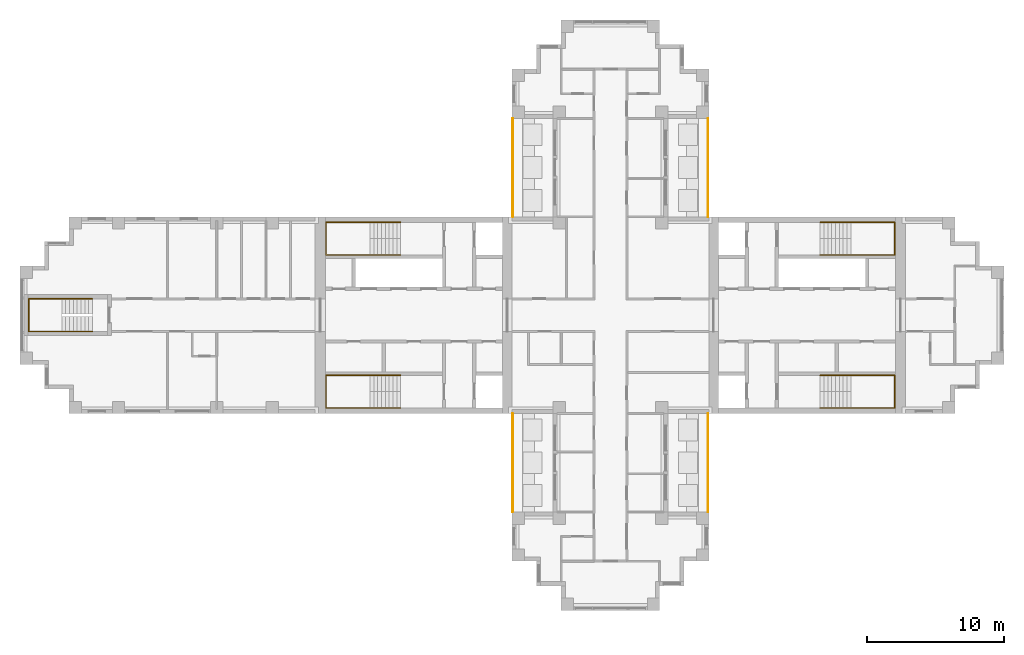
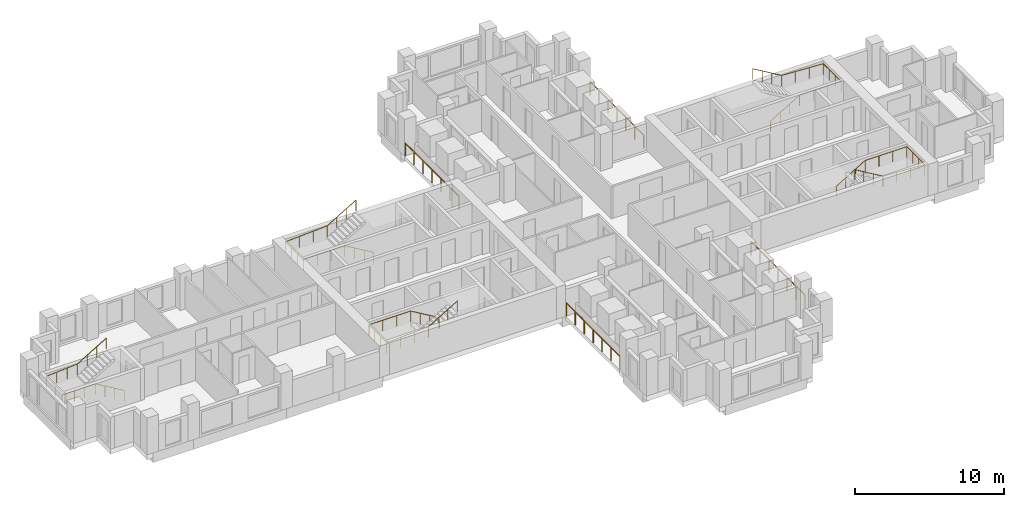
# One storey, part 10 of 11: 9 railings.
"""IFC4 building model written with IfcOpenShell, lengths in metres."""

from ifc_helpers import new_model, si_unit, direction, frame, origin, origin_2d, place, context, subcontext, project, spatial, circle, extrude, material, type_object, element, save


model = new_model("IFC4")

# Units and contexts
model_context = context("Model", 3, precision=1e-05, world=origin(), true_north=direction((0.0, 1.0)))
body_context = subcontext(model_context, "Body", "Model", "MODEL_VIEW")
ifc_project = project(units=[si_unit("LENGTHUNIT", "METRE"), si_unit("AREAUNIT", "SQUARE_METRE"), si_unit("VOLUMEUNIT", "CUBIC_METRE"), si_unit("PLANEANGLEUNIT", "RADIAN"), si_unit("MASSUNIT", "GRAM", prefix="KILO")], contexts=[model_context])

# Site, building, storey
site_placement = place(None, origin())
site = spatial("IfcSite", under=ifc_project, at=site_placement, CompositionType="ELEMENT")
building_placement = place(site_placement, origin())
building = spatial("IfcBuilding", under=site, at=building_placement, Name="Fustian Cross Tower", CompositionType="ELEMENT")
storey_placement = place(building_placement, frame((0.0, 0.0, 170.699951171875)))
storey = spatial("IfcBuildingStorey", under=building, at=storey_placement, Name="L53", CompositionType="ELEMENT", Elevation=170.699951171875)

# Railings
ifc_material_1 = material(Name="Stainless steel and glass", Category="steel")
railing_type_1 = type_object("IfcRailingType", Name="GR1 BALCONY GUARD 1100", PredefinedType="GUARDRAIL", material=ifc_material_1)
for number, where, name in (
    (1, (7.14990234375, 7.199951171875, 0.0), "Balcony guard"),
    (2, (-7.14990234375, 7.199951171875, 0.0), "Balcony guard"),
    (3, (7.14990234375, -14.39990234375, 0.0), "Balcony guard"),
    (4, (-7.14990234375, -14.39990234375, 0.0), "Balcony guard"),
):
    element("IfcRailing", number, at=place(storey_placement, frame(where)), inside=storey, type_object=railing_type_1, Name=name, PredefinedType="GUARDRAIL", context=body_context, shape_type="SweptSolid", body=[
        extrude(circle(Radius=0.02392578125, at=origin_2d()), frame((0.0, 0.0, 1.076171875), z_axis=(0.0, 1.0, 0.0), x_axis=(-1.0, 0.0, 0.0)), (0.0, 0.0, 1.0), 7.199951171875),
        extrude(circle(Radius=0.02099609375, at=origin_2d()), origin(), (0.0, 0.0, 1.0), 1.052001953125),
        extrude(circle(Radius=0.02099609375, at=origin_2d()), frame((0.0, 1.199951171875, 0.0)), (0.0, 0.0, 1.0), 1.052001953125),
        extrude(circle(Radius=0.02099609375, at=origin_2d()), frame((0.0, 2.39990234375, 0.0)), (0.0, 0.0, 1.0), 1.052001953125),
        extrude(circle(Radius=0.02099609375, at=origin_2d()), frame((0.0, 3.60009765625, 0.0)), (0.0, 0.0, 1.0), 1.052001953125),
        extrude(circle(Radius=0.02099609375, at=origin_2d()), frame((0.0, 4.800048828125, 0.0)), (0.0, 0.0, 1.0), 1.052001953125),
        extrude(circle(Radius=0.02099609375, at=origin_2d()), frame((0.0, 6.0, 0.0)), (0.0, 0.0, 1.0), 1.052001953125),
        extrude(circle(Radius=0.02099609375, at=origin_2d()), frame((0.0, 7.199951171875, 0.0)), (0.0, 0.0, 1.0), 1.052001953125),
    ])
ifc_material_2 = material(Name="Stainless steel", Category="steel")
railing_type_2 = type_object("IfcRailingType", Name="STAIR HANDRAIL", PredefinedType="HANDRAIL", material=ifc_material_2)
railing_1_placement = place(storey_placement, frame((15.35009765625, 4.39990234375, 0.166748046875)))
element("IfcRailing", 5, at=railing_1_placement, inside=storey, type_object=railing_type_2, Name="Stair ST1 handrail 1", PredefinedType="HANDRAIL", context=body_context, shape_type="SweptSolid", body=[
    extrude(circle(Radius=0.02490234375, at=origin_2d()), frame((0.0, 0.0, 0.875), z_axis=(0.859305625298, 0.0, 0.511462454469), x_axis=(0.0, 1.0, 0.0)), (0.0, 0.0, 1.0), 2.606689453125),
    extrude(circle(Radius=0.02490234375, at=origin_2d()), frame((2.239990234375, 0.0, 2.2080078125), z_axis=(1.0, 0.0, 0.0), x_axis=(0.0, 1.0, 0.0)), (0.0, 0.0, 1.0), 3.219970703125),
    extrude(circle(Radius=0.02490234375, at=origin_2d()), frame((5.4599609375, 0.0, 2.2080078125), z_axis=(0.0, 1.0, 0.0), x_axis=(-1.0, 0.0, 0.0)), (0.0, 0.0, 1.0), 2.400146484375),
    extrude(circle(Radius=0.02490234375, at=origin_2d()), frame((5.4599609375, 2.400146484375, 2.2080078125), z_axis=(-0.998661817807, 0.0, 0.051716280352), x_axis=(0.0, -1.0, 0.0)), (0.0, 0.0, 1.0), 3.224365234375),
    extrude(circle(Radius=0.02490234375, at=origin_2d()), frame((2.239990234375, 2.400146484375, 2.375), z_axis=(-0.859305625298, 0.0, 0.511462454469), x_axis=(0.0, -1.0, 0.0)), (0.0, 0.0, 1.0), 2.606689453125),
    extrude(circle(Radius=0.02001953125, at=origin_2d()), origin(), (0.0, 0.0, 1.0), 0.849853515625),
    extrude(circle(Radius=0.02001953125, at=origin_2d()), frame((0.74658203125, 0.0, 0.4443359375)), (0.0, 0.0, 1.0), 0.849853515625),
    extrude(circle(Radius=0.02001953125, at=origin_2d()), frame((1.493408203125, 0.0, 0.888916015625)), (0.0, 0.0, 1.0), 0.849853515625),
    extrude(circle(Radius=0.02001953125, at=origin_2d()), frame((2.239990234375, 0.0, 1.333251953125)), (0.0, 0.0, 1.0), 0.849853515625),
    extrude(circle(Radius=0.02001953125, at=origin_2d()), frame((3.313232421875, 0.0, 1.333251953125)), (0.0, 0.0, 1.0), 0.849853515625),
    extrude(circle(Radius=0.02001953125, at=origin_2d()), frame((4.38671875, 0.0, 1.333251953125)), (0.0, 0.0, 1.0), 0.849853515625),
    extrude(circle(Radius=0.02001953125, at=origin_2d()), frame((5.4599609375, 0.0, 1.333251953125)), (0.0, 0.0, 1.0), 0.849853515625),
    extrude(circle(Radius=0.02001953125, at=origin_2d()), frame((5.4599609375, 0.800048828125, 1.333251953125)), (0.0, 0.0, 1.0), 0.849853515625),
    extrude(circle(Radius=0.02001953125, at=origin_2d()), frame((5.4599609375, 1.60009765625, 1.333251953125)), (0.0, 0.0, 1.0), 0.849853515625),
    extrude(circle(Radius=0.02001953125, at=origin_2d()), frame((5.4599609375, 2.400146484375, 1.333251953125)), (0.0, 0.0, 1.0), 0.849853515625),
    extrude(circle(Radius=0.02001953125, at=origin_2d()), frame((4.38671875, 2.400146484375, 1.388916015625)), (0.0, 0.0, 1.0), 0.849853515625),
    extrude(circle(Radius=0.02001953125, at=origin_2d()), frame((3.313232421875, 2.400146484375, 1.4443359375)), (0.0, 0.0, 1.0), 0.849853515625),
    extrude(circle(Radius=0.02001953125, at=origin_2d()), frame((2.239990234375, 2.400146484375, 1.5)), (0.0, 0.0, 1.0), 0.849853515625),
    extrude(circle(Radius=0.02001953125, at=origin_2d()), frame((1.493408203125, 2.400146484375, 1.9443359375)), (0.0, 0.0, 1.0), 0.849853515625),
    extrude(circle(Radius=0.02001953125, at=origin_2d()), frame((0.74658203125, 2.400146484375, 2.388916015625)), (0.0, 0.0, 1.0), 0.849853515625),
    extrude(circle(Radius=0.02001953125, at=origin_2d()), frame((0.0, 2.400146484375, 2.833251953125)), (0.0, 0.0, 1.0), 0.849853515625),
])
railing_2_placement = place(storey_placement, frame((15.35009765625, -4.39990234375, 0.166748046875)))
element("IfcRailing", 6, at=railing_2_placement, inside=storey, type_object=railing_type_2, Name="Stair ST2 handrail 1", PredefinedType="HANDRAIL", context=body_context, shape_type="SweptSolid", body=[
    extrude(circle(Radius=0.02490234375, at=origin_2d()), frame((0.0, 0.0, 0.875), z_axis=(0.859305625298, 0.0, 0.511462454469), x_axis=(0.0, 1.0, 0.0)), (0.0, 0.0, 1.0), 2.606689453125),
    extrude(circle(Radius=0.02490234375, at=origin_2d()), frame((2.239990234375, 0.0, 2.2080078125), z_axis=(1.0, 0.0, 0.0), x_axis=(0.0, 1.0, 0.0)), (0.0, 0.0, 1.0), 3.219970703125),
    extrude(circle(Radius=0.02490234375, at=origin_2d()), frame((5.4599609375, 0.0, 2.2080078125), z_axis=(0.0, -1.0, 0.0), x_axis=(1.0, 0.0, 0.0)), (0.0, 0.0, 1.0), 2.400146484375),
    extrude(circle(Radius=0.02490234375, at=origin_2d()), frame((5.4599609375, -2.400146484375, 2.2080078125), z_axis=(-0.998661817807, 0.0, 0.051716280352), x_axis=(0.0, -1.0, 0.0)), (0.0, 0.0, 1.0), 3.224365234375),
    extrude(circle(Radius=0.02490234375, at=origin_2d()), frame((2.239990234375, -2.400146484375, 2.375), z_axis=(-0.859305625298, 0.0, 0.511462454469), x_axis=(0.0, -1.0, 0.0)), (0.0, 0.0, 1.0), 2.606689453125),
    extrude(circle(Radius=0.02001953125, at=origin_2d()), origin(), (0.0, 0.0, 1.0), 0.849853515625),
    extrude(circle(Radius=0.02001953125, at=origin_2d()), frame((0.74658203125, 0.0, 0.4443359375)), (0.0, 0.0, 1.0), 0.849853515625),
    extrude(circle(Radius=0.02001953125, at=origin_2d()), frame((1.493408203125, 0.0, 0.888916015625)), (0.0, 0.0, 1.0), 0.849853515625),
    extrude(circle(Radius=0.02001953125, at=origin_2d()), frame((2.239990234375, 0.0, 1.333251953125)), (0.0, 0.0, 1.0), 0.849853515625),
    extrude(circle(Radius=0.02001953125, at=origin_2d()), frame((3.313232421875, 0.0, 1.333251953125)), (0.0, 0.0, 1.0), 0.849853515625),
    extrude(circle(Radius=0.02001953125, at=origin_2d()), frame((4.38671875, 0.0, 1.333251953125)), (0.0, 0.0, 1.0), 0.849853515625),
    extrude(circle(Radius=0.02001953125, at=origin_2d()), frame((5.4599609375, 0.0, 1.333251953125)), (0.0, 0.0, 1.0), 0.849853515625),
    extrude(circle(Radius=0.02001953125, at=origin_2d()), frame((5.4599609375, -0.800048828125, 1.333251953125)), (0.0, 0.0, 1.0), 0.849853515625),
    extrude(circle(Radius=0.02001953125, at=origin_2d()), frame((5.4599609375, -1.60009765625, 1.333251953125)), (0.0, 0.0, 1.0), 0.849853515625),
    extrude(circle(Radius=0.02001953125, at=origin_2d()), frame((5.4599609375, -2.400146484375, 1.333251953125)), (0.0, 0.0, 1.0), 0.849853515625),
    extrude(circle(Radius=0.02001953125, at=origin_2d()), frame((4.38671875, -2.400146484375, 1.388916015625)), (0.0, 0.0, 1.0), 0.849853515625),
    extrude(circle(Radius=0.02001953125, at=origin_2d()), frame((3.313232421875, -2.400146484375, 1.4443359375)), (0.0, 0.0, 1.0), 0.849853515625),
    extrude(circle(Radius=0.02001953125, at=origin_2d()), frame((2.239990234375, -2.400146484375, 1.5)), (0.0, 0.0, 1.0), 0.849853515625),
    extrude(circle(Radius=0.02001953125, at=origin_2d()), frame((1.493408203125, -2.400146484375, 1.9443359375)), (0.0, 0.0, 1.0), 0.849853515625),
    extrude(circle(Radius=0.02001953125, at=origin_2d()), frame((0.74658203125, -2.400146484375, 2.388916015625)), (0.0, 0.0, 1.0), 0.849853515625),
    extrude(circle(Radius=0.02001953125, at=origin_2d()), frame((0.0, -2.400146484375, 2.833251953125)), (0.0, 0.0, 1.0), 0.849853515625),
])
railing_3_placement = place(storey_placement, frame((-15.35009765625, 4.39990234375, 0.166748046875)))
element("IfcRailing", 7, at=railing_3_placement, inside=storey, type_object=railing_type_2, Name="Stair ST3 handrail 1", PredefinedType="HANDRAIL", context=body_context, shape_type="SweptSolid", body=[
    extrude(circle(Radius=0.02490234375, at=origin_2d()), frame((0.0, 0.0, 0.875), z_axis=(-0.859305625298, 0.0, 0.511462454469), x_axis=(0.0, -1.0, 0.0)), (0.0, 0.0, 1.0), 2.606689453125),
    extrude(circle(Radius=0.02490234375, at=origin_2d()), frame((-2.239990234375, 0.0, 2.2080078125), z_axis=(-1.0, 0.0, 0.0), x_axis=(0.0, -1.0, 0.0)), (0.0, 0.0, 1.0), 3.219970703125),
    extrude(circle(Radius=0.02490234375, at=origin_2d()), frame((-5.4599609375, 0.0, 2.2080078125), z_axis=(0.0, 1.0, 0.0), x_axis=(-1.0, 0.0, 0.0)), (0.0, 0.0, 1.0), 2.400146484375),
    extrude(circle(Radius=0.02490234375, at=origin_2d()), frame((-5.4599609375, 2.400146484375, 2.2080078125), z_axis=(0.998661817807, 0.0, 0.051716280352), x_axis=(0.0, 1.0, 0.0)), (0.0, 0.0, 1.0), 3.224365234375),
    extrude(circle(Radius=0.02490234375, at=origin_2d()), frame((-2.239990234375, 2.400146484375, 2.375), z_axis=(0.859305625298, 0.0, 0.511462454469), x_axis=(0.0, 1.0, 0.0)), (0.0, 0.0, 1.0), 2.606689453125),
    extrude(circle(Radius=0.02001953125, at=origin_2d()), origin(), (0.0, 0.0, 1.0), 0.849853515625),
    extrude(circle(Radius=0.02001953125, at=origin_2d()), frame((-0.74658203125, 0.0, 0.4443359375)), (0.0, 0.0, 1.0), 0.849853515625),
    extrude(circle(Radius=0.02001953125, at=origin_2d()), frame((-1.493408203125, 0.0, 0.888916015625)), (0.0, 0.0, 1.0), 0.849853515625),
    extrude(circle(Radius=0.02001953125, at=origin_2d()), frame((-2.239990234375, 0.0, 1.333251953125)), (0.0, 0.0, 1.0), 0.849853515625),
    extrude(circle(Radius=0.02001953125, at=origin_2d()), frame((-3.313232421875, 0.0, 1.333251953125)), (0.0, 0.0, 1.0), 0.849853515625),
    extrude(circle(Radius=0.02001953125, at=origin_2d()), frame((-4.38671875, 0.0, 1.333251953125)), (0.0, 0.0, 1.0), 0.849853515625),
    extrude(circle(Radius=0.02001953125, at=origin_2d()), frame((-5.4599609375, 0.0, 1.333251953125)), (0.0, 0.0, 1.0), 0.849853515625),
    extrude(circle(Radius=0.02001953125, at=origin_2d()), frame((-5.4599609375, 0.800048828125, 1.333251953125)), (0.0, 0.0, 1.0), 0.849853515625),
    extrude(circle(Radius=0.02001953125, at=origin_2d()), frame((-5.4599609375, 1.60009765625, 1.333251953125)), (0.0, 0.0, 1.0), 0.849853515625),
    extrude(circle(Radius=0.02001953125, at=origin_2d()), frame((-5.4599609375, 2.400146484375, 1.333251953125)), (0.0, 0.0, 1.0), 0.849853515625),
    extrude(circle(Radius=0.02001953125, at=origin_2d()), frame((-4.38671875, 2.400146484375, 1.388916015625)), (0.0, 0.0, 1.0), 0.849853515625),
    extrude(circle(Radius=0.02001953125, at=origin_2d()), frame((-3.313232421875, 2.400146484375, 1.4443359375)), (0.0, 0.0, 1.0), 0.849853515625),
    extrude(circle(Radius=0.02001953125, at=origin_2d()), frame((-2.239990234375, 2.400146484375, 1.5)), (0.0, 0.0, 1.0), 0.849853515625),
    extrude(circle(Radius=0.02001953125, at=origin_2d()), frame((-1.493408203125, 2.400146484375, 1.9443359375)), (0.0, 0.0, 1.0), 0.849853515625),
    extrude(circle(Radius=0.02001953125, at=origin_2d()), frame((-0.74658203125, 2.400146484375, 2.388916015625)), (0.0, 0.0, 1.0), 0.849853515625),
    extrude(circle(Radius=0.02001953125, at=origin_2d()), frame((0.0, 2.400146484375, 2.833251953125)), (0.0, 0.0, 1.0), 0.849853515625),
])
railing_4_placement = place(storey_placement, frame((-15.35009765625, -4.39990234375, 0.166748046875)))
element("IfcRailing", 8, at=railing_4_placement, inside=storey, type_object=railing_type_2, Name="Stair ST4 handrail 1", PredefinedType="HANDRAIL", context=body_context, shape_type="SweptSolid", body=[
    extrude(circle(Radius=0.02490234375, at=origin_2d()), frame((0.0, 0.0, 0.875), z_axis=(-0.859305625298, 0.0, 0.511462454469), x_axis=(0.0, -1.0, 0.0)), (0.0, 0.0, 1.0), 2.606689453125),
    extrude(circle(Radius=0.02490234375, at=origin_2d()), frame((-2.239990234375, 0.0, 2.2080078125), z_axis=(-1.0, 0.0, 0.0), x_axis=(0.0, -1.0, 0.0)), (0.0, 0.0, 1.0), 3.219970703125),
    extrude(circle(Radius=0.02490234375, at=origin_2d()), frame((-5.4599609375, 0.0, 2.2080078125), z_axis=(0.0, -1.0, 0.0), x_axis=(1.0, 0.0, 0.0)), (0.0, 0.0, 1.0), 2.400146484375),
    extrude(circle(Radius=0.02490234375, at=origin_2d()), frame((-5.4599609375, -2.400146484375, 2.2080078125), z_axis=(0.998661817807, 0.0, 0.051716280352), x_axis=(0.0, 1.0, 0.0)), (0.0, 0.0, 1.0), 3.224365234375),
    extrude(circle(Radius=0.02490234375, at=origin_2d()), frame((-2.239990234375, -2.400146484375, 2.375), z_axis=(0.859305625298, 0.0, 0.511462454469), x_axis=(0.0, 1.0, 0.0)), (0.0, 0.0, 1.0), 2.606689453125),
    extrude(circle(Radius=0.02001953125, at=origin_2d()), origin(), (0.0, 0.0, 1.0), 0.849853515625),
    extrude(circle(Radius=0.02001953125, at=origin_2d()), frame((-0.74658203125, 0.0, 0.4443359375)), (0.0, 0.0, 1.0), 0.849853515625),
    extrude(circle(Radius=0.02001953125, at=origin_2d()), frame((-1.493408203125, 0.0, 0.888916015625)), (0.0, 0.0, 1.0), 0.849853515625),
    extrude(circle(Radius=0.02001953125, at=origin_2d()), frame((-2.239990234375, 0.0, 1.333251953125)), (0.0, 0.0, 1.0), 0.849853515625),
    extrude(circle(Radius=0.02001953125, at=origin_2d()), frame((-3.313232421875, 0.0, 1.333251953125)), (0.0, 0.0, 1.0), 0.849853515625),
    extrude(circle(Radius=0.02001953125, at=origin_2d()), frame((-4.38671875, 0.0, 1.333251953125)), (0.0, 0.0, 1.0), 0.849853515625),
    extrude(circle(Radius=0.02001953125, at=origin_2d()), frame((-5.4599609375, 0.0, 1.333251953125)), (0.0, 0.0, 1.0), 0.849853515625),
    extrude(circle(Radius=0.02001953125, at=origin_2d()), frame((-5.4599609375, -0.800048828125, 1.333251953125)), (0.0, 0.0, 1.0), 0.849853515625),
    extrude(circle(Radius=0.02001953125, at=origin_2d()), frame((-5.4599609375, -1.60009765625, 1.333251953125)), (0.0, 0.0, 1.0), 0.849853515625),
    extrude(circle(Radius=0.02001953125, at=origin_2d()), frame((-5.4599609375, -2.400146484375, 1.333251953125)), (0.0, 0.0, 1.0), 0.849853515625),
    extrude(circle(Radius=0.02001953125, at=origin_2d()), frame((-4.38671875, -2.400146484375, 1.388916015625)), (0.0, 0.0, 1.0), 0.849853515625),
    extrude(circle(Radius=0.02001953125, at=origin_2d()), frame((-3.313232421875, -2.400146484375, 1.4443359375)), (0.0, 0.0, 1.0), 0.849853515625),
    extrude(circle(Radius=0.02001953125, at=origin_2d()), frame((-2.239990234375, -2.400146484375, 1.5)), (0.0, 0.0, 1.0), 0.849853515625),
    extrude(circle(Radius=0.02001953125, at=origin_2d()), frame((-1.493408203125, -2.400146484375, 1.9443359375)), (0.0, 0.0, 1.0), 0.849853515625),
    extrude(circle(Radius=0.02001953125, at=origin_2d()), frame((-0.74658203125, -2.400146484375, 2.388916015625)), (0.0, 0.0, 1.0), 0.849853515625),
    extrude(circle(Radius=0.02001953125, at=origin_2d()), frame((0.0, -2.400146484375, 2.833251953125)), (0.0, 0.0, 1.0), 0.849853515625),
])
railing_5_placement = place(storey_placement, frame((-37.89990234375, -1.199951171875, 0.166748046875)))
element("IfcRailing", 9, at=railing_5_placement, inside=storey, type_object=railing_type_2, Name="Stair ST9 handrail 1", PredefinedType="HANDRAIL", context=body_context, shape_type="SweptSolid", body=[
    extrude(circle(Radius=0.02490234375, at=origin_2d()), frame((0.0, 0.0, 0.875), z_axis=(-0.859305625298, 0.0, 0.511462454469), x_axis=(0.0, -1.0, 0.0)), (0.0, 0.0, 1.0), 2.606689453125),
    extrude(circle(Radius=0.02490234375, at=origin_2d()), frame((-2.239990234375, 0.0, 2.2080078125), z_axis=(-1.0, 0.0, 0.0), x_axis=(0.0, -1.0, 0.0)), (0.0, 0.0, 1.0), 2.420166015625),
    extrude(circle(Radius=0.02490234375, at=origin_2d()), frame((-4.66015625, 0.0, 2.2080078125), z_axis=(0.0, 1.0, 0.0), x_axis=(-1.0, 0.0, 0.0)), (0.0, 0.0, 1.0), 2.39990234375),
    extrude(circle(Radius=0.02490234375, at=origin_2d()), frame((-4.66015625, 2.39990234375, 2.2080078125), z_axis=(0.997634852044, 0.0, 0.068736467663), x_axis=(0.0, 1.0, 0.0)), (0.0, 0.0, 1.0), 2.426025390625),
    extrude(circle(Radius=0.02490234375, at=origin_2d()), frame((-2.239990234375, 2.39990234375, 2.375), z_axis=(0.859305625298, 0.0, 0.511462454469), x_axis=(0.0, 1.0, 0.0)), (0.0, 0.0, 1.0), 2.606689453125),
    extrude(circle(Radius=0.02001953125, at=origin_2d()), origin(), (0.0, 0.0, 1.0), 0.849853515625),
    extrude(circle(Radius=0.02001953125, at=origin_2d()), frame((-0.74658203125, 0.0, 0.4443359375)), (0.0, 0.0, 1.0), 0.849853515625),
    extrude(circle(Radius=0.02001953125, at=origin_2d()), frame((-1.493408203125, 0.0, 0.888916015625)), (0.0, 0.0, 1.0), 0.849853515625),
    extrude(circle(Radius=0.02001953125, at=origin_2d()), frame((-2.239990234375, 0.0, 1.333251953125)), (0.0, 0.0, 1.0), 0.849853515625),
    extrude(circle(Radius=0.02001953125, at=origin_2d()), frame((-3.046630859375, 0.0, 1.333251953125)), (0.0, 0.0, 1.0), 0.849853515625),
    extrude(circle(Radius=0.02001953125, at=origin_2d()), frame((-3.853515625, 0.0, 1.333251953125)), (0.0, 0.0, 1.0), 0.849853515625),
    extrude(circle(Radius=0.02001953125, at=origin_2d()), frame((-4.66015625, 0.0, 1.333251953125)), (0.0, 0.0, 1.0), 0.849853515625),
    extrude(circle(Radius=0.02001953125, at=origin_2d()), frame((-4.66015625, 1.199951171875, 1.333251953125)), (0.0, 0.0, 1.0), 0.849853515625),
    extrude(circle(Radius=0.02001953125, at=origin_2d()), frame((-4.66015625, 2.39990234375, 1.333251953125)), (0.0, 0.0, 1.0), 0.849853515625),
    extrude(circle(Radius=0.02001953125, at=origin_2d()), frame((-3.853515625, 2.39990234375, 1.388916015625)), (0.0, 0.0, 1.0), 0.849853515625),
    extrude(circle(Radius=0.02001953125, at=origin_2d()), frame((-3.046630859375, 2.39990234375, 1.4443359375)), (0.0, 0.0, 1.0), 0.849853515625),
    extrude(circle(Radius=0.02001953125, at=origin_2d()), frame((-2.239990234375, 2.39990234375, 1.5)), (0.0, 0.0, 1.0), 0.849853515625),
    extrude(circle(Radius=0.02001953125, at=origin_2d()), frame((-1.493408203125, 2.39990234375, 1.9443359375)), (0.0, 0.0, 1.0), 0.849853515625),
    extrude(circle(Radius=0.02001953125, at=origin_2d()), frame((-0.74658203125, 2.39990234375, 2.388916015625)), (0.0, 0.0, 1.0), 0.849853515625),
    extrude(circle(Radius=0.02001953125, at=origin_2d()), frame((0.0, 2.39990234375, 2.833251953125)), (0.0, 0.0, 1.0), 0.849853515625),
])

save(model, "model.ifc")
